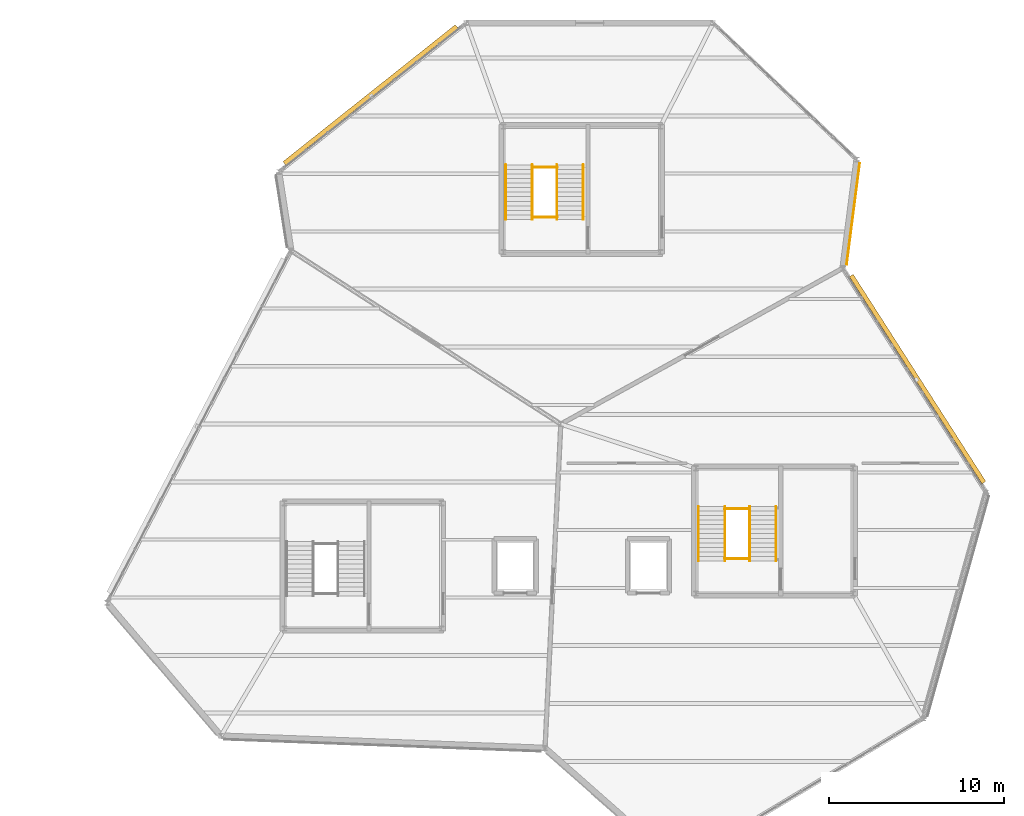
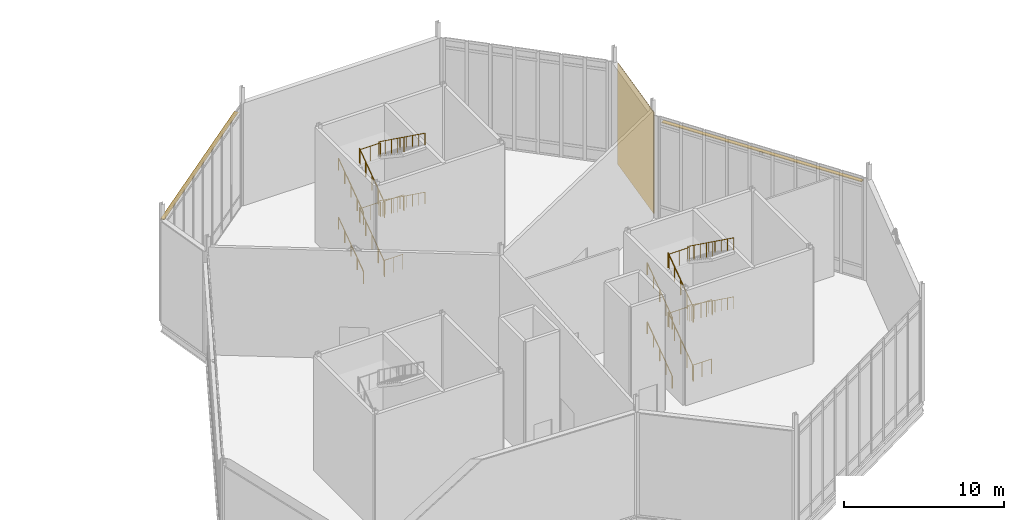
# One storey, part 66 of 66: 24 railings, 2 shading devices, 1 covering.
"""IFC4 building model written with IfcOpenShell, lengths in metres."""

from ifc_helpers import new_model, si_unit, direction, frame, frame_2d, origin, origin_2d, place, context, subcontext, project, spatial, rectangle, circle, extrude, material, layer, layer_set, type_object, element, save


model = new_model("IFC4")

# Units and contexts
model_context = context("Model", 3, precision=1e-05, world=origin(), true_north=direction((0.0, 1.0)))
body_context = subcontext(model_context, "Body", "Model", "MODEL_VIEW")
ifc_project = project(units=[si_unit("LENGTHUNIT", "METRE"), si_unit("AREAUNIT", "SQUARE_METRE"), si_unit("VOLUMEUNIT", "CUBIC_METRE"), si_unit("PLANEANGLEUNIT", "RADIAN"), si_unit("MASSUNIT", "GRAM", prefix="KILO")], contexts=[model_context])

# Site, building, storey
site_placement = place(None, origin())
site = spatial("IfcSite", under=ifc_project, at=site_placement, CompositionType="ELEMENT")
building_placement = place(site_placement, origin())
building = spatial("IfcBuilding", under=site, at=building_placement, Name="Tameran Prism Museum", CompositionType="ELEMENT")
storey_placement = place(building_placement, frame((0.0, 0.0, 19.800048828125)))
storey = spatial("IfcBuildingStorey", under=building, at=storey_placement, Name="L04", CompositionType="ELEMENT", Elevation=19.800048828125)

# Covering
ifc_material_1 = material(Name="White Fluted Mineral Precast GRC", Category="concrete")
ifc_layer_1 = layer(ifc_material_1, 0.044921875)
ifc_layer_set_1 = layer_set([ifc_layer_1])
covering_type = type_object("IfcCoveringType", Name="CV-FLUTE-WHT", PredefinedType="CLADDING", material=ifc_layer_set_1)
covering_placement = place(storey_placement, frame((135.864990234375, 103.9970703125, 0.050048828125), z_axis=(0.0, 0.0, 1.0), x_axis=(-0.127928833278, -0.991783350141, 0.0)))
element("IfcCovering", 1, at=covering_placement, inside=storey, type_object=covering_type, Name="Vertical Fluted White Precast Panel CL-0067", PredefinedType="CLADDING", context=body_context, shape_type="SweptSolid", body=[
    extrude(rectangle(XDim=5.83203125, YDim=0.044921875, at=frame_2d((2.916015625, 0.0))), origin(), (0.0, 0.0, 1.0), 7.719970703125),
])

# Railings
ifc_material_2 = material(Name="Marine Stainless Steel 316", Category="steel")
ifc_layer_2 = layer(ifc_material_2, 0.054931640625)
ifc_layer_set_2 = layer_set([ifc_layer_2])
railing_type_1 = type_object("IfcRailingType", Name="RL-GR-1120", PredefinedType="GUARDRAIL", material=ifc_layer_set_2)
railing_1_placement = place(storey_placement, frame((128.18994140625, 81.39990234375, 0.0)))
element("IfcRailing", 2, at=railing_1_placement, inside=storey, type_object=railing_type_1, Name="Stair Well Slot Guard GR-S048", PredefinedType="GUARDRAIL", context=body_context, shape_type="SweptSolid", body=[
    extrude(circle(Radius=0.02392578125, at=origin_2d()), frame((0.0, 0.0, 1.1259765625), z_axis=(1.0, 0.0, 0.0), x_axis=(0.0, 1.0, 0.0)), (0.0, 0.0, 1.0), 1.3701171875),
    extrude(circle(Radius=0.02099609375, at=origin_2d()), origin(), (0.0, 0.0, 1.0), 1.101806640625),
    extrude(circle(Radius=0.02099609375, at=origin_2d()), frame((0.68505859375, 0.0, 0.0)), (0.0, 0.0, 1.0), 1.101806640625),
    extrude(circle(Radius=0.02099609375, at=origin_2d()), frame((1.3701171875, 0.0, 0.0)), (0.0, 0.0, 1.0), 1.101806640625),
])
railing_2_placement = place(storey_placement, frame((128.169921875, 81.280029296875, 0.0)))
element("IfcRailing", 3, at=railing_2_placement, inside=storey, type_object=railing_type_1, Name="Stair Well Guardrail GR-S049", PredefinedType="GUARDRAIL", context=body_context, shape_type="SweptSolid", body=[
    extrude(circle(Radius=0.02392578125, at=origin_2d()), frame((0.0, 0.0, 1.1259765625), z_axis=(0.0, 0.811079039808, 0.584936570222), x_axis=(-1.0, 0.0, 0.0)), (0.0, 0.0, 1.0), 3.8466796875),
    extrude(circle(Radius=0.02099609375, at=origin_2d()), origin(), (0.0, 0.0, 1.0), 1.101806640625),
    extrude(circle(Radius=0.02099609375, at=origin_2d()), frame((0.0, 0.780029296875, 0.5625)), (0.0, 0.0, 1.0), 1.101806640625),
    extrude(circle(Radius=0.02099609375, at=origin_2d()), frame((0.0, 1.56005859375, 1.125)), (0.0, 0.0, 1.0), 1.101806640625),
    extrude(circle(Radius=0.02099609375, at=origin_2d()), frame((0.0, 2.33984375, 1.6875)), (0.0, 0.0, 1.0), 1.101806640625),
    extrude(circle(Radius=0.02099609375, at=origin_2d()), frame((0.0, 3.119873046875, 2.25)), (0.0, 0.0, 1.0), 1.101806640625),
])
railing_3_placement = place(storey_placement, frame((129.580078125, 84.39990234375, 2.25)))
element("IfcRailing", 4, at=railing_3_placement, inside=storey, type_object=railing_type_1, Name="Stair Well Guardrail GR-S050", PredefinedType="GUARDRAIL", context=body_context, shape_type="SweptSolid", body=[
    extrude(circle(Radius=0.02392578125, at=origin_2d()), frame((0.0, 0.0, 1.1259765625), z_axis=(0.0, -0.811079039808, 0.584936570222), x_axis=(1.0, 0.0, 0.0)), (0.0, 0.0, 1.0), 3.8466796875),
    extrude(circle(Radius=0.02099609375, at=origin_2d()), origin(), (0.0, 0.0, 1.0), 1.101806640625),
    extrude(circle(Radius=0.02099609375, at=origin_2d()), frame((0.0, -0.780029296875, 0.5625)), (0.0, 0.0, 1.0), 1.101806640625),
    extrude(circle(Radius=0.02099609375, at=origin_2d()), frame((0.0, -1.56005859375, 1.125)), (0.0, 0.0, 1.0), 1.101806640625),
    extrude(circle(Radius=0.02099609375, at=origin_2d()), frame((0.0, -2.33984375, 1.6875)), (0.0, 0.0, 1.0), 1.101806640625),
    extrude(circle(Radius=0.02099609375, at=origin_2d()), frame((0.0, -3.119873046875, 2.25)), (0.0, 0.0, 1.0), 1.101806640625),
])
railing_4_placement = place(storey_placement, frame((128.169921875, 81.280029296875, 4.5)))
element("IfcRailing", 5, at=railing_4_placement, inside=storey, type_object=railing_type_1, Name="Stair Well Guardrail GR-S051", PredefinedType="GUARDRAIL", context=body_context, shape_type="SweptSolid", body=[
    extrude(circle(Radius=0.02392578125, at=origin_2d()), frame((0.0, 0.0, 1.1259765625), z_axis=(0.0, 0.811079039808, 0.584936570222), x_axis=(-1.0, 0.0, 0.0)), (0.0, 0.0, 1.0), 3.8466796875),
    extrude(circle(Radius=0.02099609375, at=origin_2d()), origin(), (0.0, 0.0, 1.0), 1.101806640625),
    extrude(circle(Radius=0.02099609375, at=origin_2d()), frame((0.0, 0.780029296875, 0.5625)), (0.0, 0.0, 1.0), 1.101806640625),
    extrude(circle(Radius=0.02099609375, at=origin_2d()), frame((0.0, 1.56005859375, 1.125)), (0.0, 0.0, 1.0), 1.101806640625),
    extrude(circle(Radius=0.02099609375, at=origin_2d()), frame((0.0, 2.33984375, 1.6875)), (0.0, 0.0, 1.0), 1.101806640625),
    extrude(circle(Radius=0.02099609375, at=origin_2d()), frame((0.0, 3.119873046875, 2.25)), (0.0, 0.0, 1.0), 1.101806640625),
])
railing_5_placement = place(storey_placement, frame((129.580078125, 84.39990234375, 6.75)))
element("IfcRailing", 6, at=railing_5_placement, inside=storey, type_object=railing_type_1, Name="Stair Well Guardrail GR-S052", PredefinedType="GUARDRAIL", context=body_context, shape_type="SweptSolid", body=[
    extrude(circle(Radius=0.02392578125, at=origin_2d()), frame((0.0, 0.0, 1.1259765625), z_axis=(0.0, -0.811079039808, 0.584936570222), x_axis=(1.0, 0.0, 0.0)), (0.0, 0.0, 1.0), 3.8466796875),
    extrude(circle(Radius=0.02099609375, at=origin_2d()), origin(), (0.0, 0.0, 1.0), 1.101806640625),
    extrude(circle(Radius=0.02099609375, at=origin_2d()), frame((0.0, -0.780029296875, 0.5625)), (0.0, 0.0, 1.0), 1.101806640625),
    extrude(circle(Radius=0.02099609375, at=origin_2d()), frame((0.0, -1.56005859375, 1.125)), (0.0, 0.0, 1.0), 1.101806640625),
    extrude(circle(Radius=0.02099609375, at=origin_2d()), frame((0.0, -2.33984375, 1.6875)), (0.0, 0.0, 1.0), 1.101806640625),
    extrude(circle(Radius=0.02099609375, at=origin_2d()), frame((0.0, -3.119873046875, 2.25)), (0.0, 0.0, 1.0), 1.101806640625),
])
for number, where, name in (
    (7, (128.14990234375, 84.260009765625, 2.25), "Landing Well Guardrail GR-S053"),
    (8, (128.14990234375, 81.419921875, 4.5), "Landing Well Guardrail GR-S054"),
    (9, (128.14990234375, 84.260009765625, 6.75), "Landing Well Guardrail GR-S055"),
):
    element("IfcRailing", number, at=place(storey_placement, frame(where)), inside=storey, type_object=railing_type_1, Name=name, PredefinedType="GUARDRAIL", context=body_context, shape_type="SweptSolid", body=[
        extrude(circle(Radius=0.02392578125, at=origin_2d()), frame((0.0, 0.0, 1.1259765625), z_axis=(1.0, 0.0, 0.0), x_axis=(0.0, 1.0, 0.0)), (0.0, 0.0, 1.0), 1.4501953125),
        extrude(circle(Radius=0.02099609375, at=origin_2d()), origin(), (0.0, 0.0, 1.0), 1.101806640625),
        extrude(circle(Radius=0.02099609375, at=origin_2d()), frame((0.72509765625, 0.0, 0.0)), (0.0, 0.0, 1.0), 1.101806640625),
        extrude(circle(Radius=0.02099609375, at=origin_2d()), frame((1.4501953125, 0.0, 0.0)), (0.0, 0.0, 1.0), 1.101806640625),
    ])
railing_6_placement = place(storey_placement, frame((117.18994140625, 100.89990234375, 0.0)))
element("IfcRailing", 10, at=railing_6_placement, inside=storey, type_object=railing_type_1, Name="Stair Well Slot Guard GR-S076", PredefinedType="GUARDRAIL", context=body_context, shape_type="SweptSolid", body=[
    extrude(circle(Radius=0.02392578125, at=origin_2d()), frame((0.0, 0.0, 1.1259765625), z_axis=(1.0, 0.0, 0.0), x_axis=(0.0, 1.0, 0.0)), (0.0, 0.0, 1.0), 1.3701171875),
    extrude(circle(Radius=0.02099609375, at=origin_2d()), origin(), (0.0, 0.0, 1.0), 1.101806640625),
    extrude(circle(Radius=0.02099609375, at=origin_2d()), frame((0.68505859375, 0.0, 0.0)), (0.0, 0.0, 1.0), 1.101806640625),
    extrude(circle(Radius=0.02099609375, at=origin_2d()), frame((1.3701171875, 0.0, 0.0)), (0.0, 0.0, 1.0), 1.101806640625),
])
railing_7_placement = place(storey_placement, frame((117.169921875, 100.780029296875, 0.0)))
element("IfcRailing", 11, at=railing_7_placement, inside=storey, type_object=railing_type_1, Name="Stair Well Guardrail GR-S077", PredefinedType="GUARDRAIL", context=body_context, shape_type="SweptSolid", body=[
    extrude(circle(Radius=0.02392578125, at=origin_2d()), frame((0.0, 0.0, 1.1259765625), z_axis=(0.0, 0.811079039808, 0.584936570222), x_axis=(-1.0, 0.0, 0.0)), (0.0, 0.0, 1.0), 3.8466796875),
    extrude(circle(Radius=0.02099609375, at=origin_2d()), origin(), (0.0, 0.0, 1.0), 1.101806640625),
    extrude(circle(Radius=0.02099609375, at=origin_2d()), frame((0.0, 0.780029296875, 0.5625)), (0.0, 0.0, 1.0), 1.101806640625),
    extrude(circle(Radius=0.02099609375, at=origin_2d()), frame((0.0, 1.56005859375, 1.125)), (0.0, 0.0, 1.0), 1.101806640625),
    extrude(circle(Radius=0.02099609375, at=origin_2d()), frame((0.0, 2.33984375, 1.6875)), (0.0, 0.0, 1.0), 1.101806640625),
    extrude(circle(Radius=0.02099609375, at=origin_2d()), frame((0.0, 3.119873046875, 2.25)), (0.0, 0.0, 1.0), 1.101806640625),
])
railing_8_placement = place(storey_placement, frame((118.580078125, 103.89990234375, 2.25)))
element("IfcRailing", 12, at=railing_8_placement, inside=storey, type_object=railing_type_1, Name="Stair Well Guardrail GR-S078", PredefinedType="GUARDRAIL", context=body_context, shape_type="SweptSolid", body=[
    extrude(circle(Radius=0.02392578125, at=origin_2d()), frame((0.0, 0.0, 1.1259765625), z_axis=(0.0, -0.811079039808, 0.584936570222), x_axis=(1.0, 0.0, 0.0)), (0.0, 0.0, 1.0), 3.8466796875),
    extrude(circle(Radius=0.02099609375, at=origin_2d()), origin(), (0.0, 0.0, 1.0), 1.101806640625),
    extrude(circle(Radius=0.02099609375, at=origin_2d()), frame((0.0, -0.780029296875, 0.5625)), (0.0, 0.0, 1.0), 1.101806640625),
    extrude(circle(Radius=0.02099609375, at=origin_2d()), frame((0.0, -1.56005859375, 1.125)), (0.0, 0.0, 1.0), 1.101806640625),
    extrude(circle(Radius=0.02099609375, at=origin_2d()), frame((0.0, -2.33984375, 1.6875)), (0.0, 0.0, 1.0), 1.101806640625),
    extrude(circle(Radius=0.02099609375, at=origin_2d()), frame((0.0, -3.119873046875, 2.25)), (0.0, 0.0, 1.0), 1.101806640625),
])
railing_9_placement = place(storey_placement, frame((117.169921875, 100.780029296875, 4.5)))
element("IfcRailing", 13, at=railing_9_placement, inside=storey, type_object=railing_type_1, Name="Stair Well Guardrail GR-S079", PredefinedType="GUARDRAIL", context=body_context, shape_type="SweptSolid", body=[
    extrude(circle(Radius=0.02392578125, at=origin_2d()), frame((0.0, 0.0, 1.1259765625), z_axis=(0.0, 0.811079039808, 0.584936570222), x_axis=(-1.0, 0.0, 0.0)), (0.0, 0.0, 1.0), 3.8466796875),
    extrude(circle(Radius=0.02099609375, at=origin_2d()), origin(), (0.0, 0.0, 1.0), 1.101806640625),
    extrude(circle(Radius=0.02099609375, at=origin_2d()), frame((0.0, 0.780029296875, 0.5625)), (0.0, 0.0, 1.0), 1.101806640625),
    extrude(circle(Radius=0.02099609375, at=origin_2d()), frame((0.0, 1.56005859375, 1.125)), (0.0, 0.0, 1.0), 1.101806640625),
    extrude(circle(Radius=0.02099609375, at=origin_2d()), frame((0.0, 2.33984375, 1.6875)), (0.0, 0.0, 1.0), 1.101806640625),
    extrude(circle(Radius=0.02099609375, at=origin_2d()), frame((0.0, 3.119873046875, 2.25)), (0.0, 0.0, 1.0), 1.101806640625),
])
railing_10_placement = place(storey_placement, frame((118.580078125, 103.89990234375, 6.75)))
element("IfcRailing", 14, at=railing_10_placement, inside=storey, type_object=railing_type_1, Name="Stair Well Guardrail GR-S080", PredefinedType="GUARDRAIL", context=body_context, shape_type="SweptSolid", body=[
    extrude(circle(Radius=0.02392578125, at=origin_2d()), frame((0.0, 0.0, 1.1259765625), z_axis=(0.0, -0.811079039808, 0.584936570222), x_axis=(1.0, 0.0, 0.0)), (0.0, 0.0, 1.0), 3.8466796875),
    extrude(circle(Radius=0.02099609375, at=origin_2d()), origin(), (0.0, 0.0, 1.0), 1.101806640625),
    extrude(circle(Radius=0.02099609375, at=origin_2d()), frame((0.0, -0.780029296875, 0.5625)), (0.0, 0.0, 1.0), 1.101806640625),
    extrude(circle(Radius=0.02099609375, at=origin_2d()), frame((0.0, -1.56005859375, 1.125)), (0.0, 0.0, 1.0), 1.101806640625),
    extrude(circle(Radius=0.02099609375, at=origin_2d()), frame((0.0, -2.33984375, 1.6875)), (0.0, 0.0, 1.0), 1.101806640625),
    extrude(circle(Radius=0.02099609375, at=origin_2d()), frame((0.0, -3.119873046875, 2.25)), (0.0, 0.0, 1.0), 1.101806640625),
])
for number, where, name in (
    (15, (117.14990234375, 103.760009765625, 2.25), "Landing Well Guardrail GR-S081"),
    (16, (117.14990234375, 100.919921875, 4.5), "Landing Well Guardrail GR-S082"),
    (17, (117.14990234375, 103.760009765625, 6.75), "Landing Well Guardrail GR-S083"),
):
    element("IfcRailing", number, at=place(storey_placement, frame(where)), inside=storey, type_object=railing_type_1, Name=name, PredefinedType="GUARDRAIL", context=body_context, shape_type="SweptSolid", body=[
        extrude(circle(Radius=0.02392578125, at=origin_2d()), frame((0.0, 0.0, 1.1259765625), z_axis=(1.0, 0.0, 0.0), x_axis=(0.0, 1.0, 0.0)), (0.0, 0.0, 1.0), 1.4501953125),
        extrude(circle(Radius=0.02099609375, at=origin_2d()), origin(), (0.0, 0.0, 1.0), 1.101806640625),
        extrude(circle(Radius=0.02099609375, at=origin_2d()), frame((0.72509765625, 0.0, 0.0)), (0.0, 0.0, 1.0), 1.101806640625),
        extrude(circle(Radius=0.02099609375, at=origin_2d()), frame((1.4501953125, 0.0, 0.0)), (0.0, 0.0, 1.0), 1.101806640625),
    ])
ifc_material_3 = material(Name="Brushed Stainless Steel 316", Category="steel")
ifc_layer_3 = layer(ifc_material_3, 0.048095703125)
ifc_layer_set_3 = layer_set([ifc_layer_3])
railing_type_2 = type_object("IfcRailingType", Name="RL-HR-920", PredefinedType="HANDRAIL", material=ifc_layer_set_3)
railing_11_placement = place(storey_placement, frame((126.659912109375, 81.280029296875, 0.0)))
element("IfcRailing", 18, at=railing_11_placement, inside=storey, type_object=railing_type_2, Name="Stair Flight Handrail HR-025", PredefinedType="HANDRAIL", context=body_context, shape_type="SweptSolid", body=[
    extrude(circle(Radius=0.02392578125, at=origin_2d()), frame((0.0, 0.0, 0.89599609375), z_axis=(0.0, 0.811079039808, 0.584936570222), x_axis=(-1.0, 0.0, 0.0)), (0.0, 0.0, 1.0), 3.8466796875),
    extrude(circle(Radius=0.02099609375, at=origin_2d()), origin(), (0.0, 0.0, 1.0), 0.871826171875),
    extrude(circle(Radius=0.02099609375, at=origin_2d()), frame((0.0, 0.780029296875, 0.5625)), (0.0, 0.0, 1.0), 0.871826171875),
    extrude(circle(Radius=0.02099609375, at=origin_2d()), frame((0.0, 1.56005859375, 1.125)), (0.0, 0.0, 1.0), 0.871826171875),
    extrude(circle(Radius=0.02099609375, at=origin_2d()), frame((0.0, 2.33984375, 1.6875)), (0.0, 0.0, 1.0), 0.871826171875),
    extrude(circle(Radius=0.02099609375, at=origin_2d()), frame((0.0, 3.119873046875, 2.25)), (0.0, 0.0, 1.0), 0.871826171875),
])
railing_12_placement = place(storey_placement, frame((131.090087890625, 84.39990234375, 2.25)))
element("IfcRailing", 19, at=railing_12_placement, inside=storey, type_object=railing_type_2, Name="Stair Flight Handrail HR-026", PredefinedType="HANDRAIL", context=body_context, shape_type="SweptSolid", body=[
    extrude(circle(Radius=0.02392578125, at=origin_2d()), frame((0.0, 0.0, 0.89599609375), z_axis=(0.0, -0.811079039808, 0.584936570222), x_axis=(1.0, 0.0, 0.0)), (0.0, 0.0, 1.0), 3.8466796875),
    extrude(circle(Radius=0.02099609375, at=origin_2d()), origin(), (0.0, 0.0, 1.0), 0.871826171875),
    extrude(circle(Radius=0.02099609375, at=origin_2d()), frame((0.0, -0.780029296875, 0.5625)), (0.0, 0.0, 1.0), 0.871826171875),
    extrude(circle(Radius=0.02099609375, at=origin_2d()), frame((0.0, -1.56005859375, 1.125)), (0.0, 0.0, 1.0), 0.871826171875),
    extrude(circle(Radius=0.02099609375, at=origin_2d()), frame((0.0, -2.33984375, 1.6875)), (0.0, 0.0, 1.0), 0.871826171875),
    extrude(circle(Radius=0.02099609375, at=origin_2d()), frame((0.0, -3.119873046875, 2.25)), (0.0, 0.0, 1.0), 0.871826171875),
])
railing_13_placement = place(storey_placement, frame((126.659912109375, 81.280029296875, 4.5)))
element("IfcRailing", 20, at=railing_13_placement, inside=storey, type_object=railing_type_2, Name="Stair Flight Handrail HR-027", PredefinedType="HANDRAIL", context=body_context, shape_type="SweptSolid", body=[
    extrude(circle(Radius=0.02392578125, at=origin_2d()), frame((0.0, 0.0, 0.89599609375), z_axis=(0.0, 0.811079039808, 0.584936570222), x_axis=(-1.0, 0.0, 0.0)), (0.0, 0.0, 1.0), 3.8466796875),
    extrude(circle(Radius=0.02099609375, at=origin_2d()), origin(), (0.0, 0.0, 1.0), 0.871826171875),
    extrude(circle(Radius=0.02099609375, at=origin_2d()), frame((0.0, 0.780029296875, 0.5625)), (0.0, 0.0, 1.0), 0.871826171875),
    extrude(circle(Radius=0.02099609375, at=origin_2d()), frame((0.0, 1.56005859375, 1.125)), (0.0, 0.0, 1.0), 0.871826171875),
    extrude(circle(Radius=0.02099609375, at=origin_2d()), frame((0.0, 2.33984375, 1.6875)), (0.0, 0.0, 1.0), 0.871826171875),
    extrude(circle(Radius=0.02099609375, at=origin_2d()), frame((0.0, 3.119873046875, 2.25)), (0.0, 0.0, 1.0), 0.871826171875),
])
railing_14_placement = place(storey_placement, frame((131.090087890625, 84.39990234375, 6.75)))
element("IfcRailing", 21, at=railing_14_placement, inside=storey, type_object=railing_type_2, Name="Stair Flight Handrail HR-028", PredefinedType="HANDRAIL", context=body_context, shape_type="SweptSolid", body=[
    extrude(circle(Radius=0.02392578125, at=origin_2d()), frame((0.0, 0.0, 0.89599609375), z_axis=(0.0, -0.811079039808, 0.584936570222), x_axis=(1.0, 0.0, 0.0)), (0.0, 0.0, 1.0), 3.8466796875),
    extrude(circle(Radius=0.02099609375, at=origin_2d()), origin(), (0.0, 0.0, 1.0), 0.871826171875),
    extrude(circle(Radius=0.02099609375, at=origin_2d()), frame((0.0, -0.780029296875, 0.5625)), (0.0, 0.0, 1.0), 0.871826171875),
    extrude(circle(Radius=0.02099609375, at=origin_2d()), frame((0.0, -1.56005859375, 1.125)), (0.0, 0.0, 1.0), 0.871826171875),
    extrude(circle(Radius=0.02099609375, at=origin_2d()), frame((0.0, -2.33984375, 1.6875)), (0.0, 0.0, 1.0), 0.871826171875),
    extrude(circle(Radius=0.02099609375, at=origin_2d()), frame((0.0, -3.119873046875, 2.25)), (0.0, 0.0, 1.0), 0.871826171875),
])
railing_15_placement = place(storey_placement, frame((115.659912109375, 100.780029296875, 0.0)))
element("IfcRailing", 22, at=railing_15_placement, inside=storey, type_object=railing_type_2, Name="Stair Flight Handrail HR-039", PredefinedType="HANDRAIL", context=body_context, shape_type="SweptSolid", body=[
    extrude(circle(Radius=0.02392578125, at=origin_2d()), frame((0.0, 0.0, 0.89599609375), z_axis=(0.0, 0.811079039808, 0.584936570222), x_axis=(-1.0, 0.0, 0.0)), (0.0, 0.0, 1.0), 3.8466796875),
    extrude(circle(Radius=0.02099609375, at=origin_2d()), origin(), (0.0, 0.0, 1.0), 0.871826171875),
    extrude(circle(Radius=0.02099609375, at=origin_2d()), frame((0.0, 0.780029296875, 0.5625)), (0.0, 0.0, 1.0), 0.871826171875),
    extrude(circle(Radius=0.02099609375, at=origin_2d()), frame((0.0, 1.56005859375, 1.125)), (0.0, 0.0, 1.0), 0.871826171875),
    extrude(circle(Radius=0.02099609375, at=origin_2d()), frame((0.0, 2.33984375, 1.6875)), (0.0, 0.0, 1.0), 0.871826171875),
    extrude(circle(Radius=0.02099609375, at=origin_2d()), frame((0.0, 3.119873046875, 2.25)), (0.0, 0.0, 1.0), 0.871826171875),
])
railing_16_placement = place(storey_placement, frame((120.090087890625, 103.89990234375, 2.25)))
element("IfcRailing", 23, at=railing_16_placement, inside=storey, type_object=railing_type_2, Name="Stair Flight Handrail HR-040", PredefinedType="HANDRAIL", context=body_context, shape_type="SweptSolid", body=[
    extrude(circle(Radius=0.02392578125, at=origin_2d()), frame((0.0, 0.0, 0.89599609375), z_axis=(0.0, -0.811079039808, 0.584936570222), x_axis=(1.0, 0.0, 0.0)), (0.0, 0.0, 1.0), 3.8466796875),
    extrude(circle(Radius=0.02099609375, at=origin_2d()), origin(), (0.0, 0.0, 1.0), 0.871826171875),
    extrude(circle(Radius=0.02099609375, at=origin_2d()), frame((0.0, -0.780029296875, 0.5625)), (0.0, 0.0, 1.0), 0.871826171875),
    extrude(circle(Radius=0.02099609375, at=origin_2d()), frame((0.0, -1.56005859375, 1.125)), (0.0, 0.0, 1.0), 0.871826171875),
    extrude(circle(Radius=0.02099609375, at=origin_2d()), frame((0.0, -2.33984375, 1.6875)), (0.0, 0.0, 1.0), 0.871826171875),
    extrude(circle(Radius=0.02099609375, at=origin_2d()), frame((0.0, -3.119873046875, 2.25)), (0.0, 0.0, 1.0), 0.871826171875),
])
railing_17_placement = place(storey_placement, frame((115.659912109375, 100.780029296875, 4.5)))
element("IfcRailing", 24, at=railing_17_placement, inside=storey, type_object=railing_type_2, Name="Stair Flight Handrail HR-041", PredefinedType="HANDRAIL", context=body_context, shape_type="SweptSolid", body=[
    extrude(circle(Radius=0.02392578125, at=origin_2d()), frame((0.0, 0.0, 0.89599609375), z_axis=(0.0, 0.811079039808, 0.584936570222), x_axis=(-1.0, 0.0, 0.0)), (0.0, 0.0, 1.0), 3.8466796875),
    extrude(circle(Radius=0.02099609375, at=origin_2d()), origin(), (0.0, 0.0, 1.0), 0.871826171875),
    extrude(circle(Radius=0.02099609375, at=origin_2d()), frame((0.0, 0.780029296875, 0.5625)), (0.0, 0.0, 1.0), 0.871826171875),
    extrude(circle(Radius=0.02099609375, at=origin_2d()), frame((0.0, 1.56005859375, 1.125)), (0.0, 0.0, 1.0), 0.871826171875),
    extrude(circle(Radius=0.02099609375, at=origin_2d()), frame((0.0, 2.33984375, 1.6875)), (0.0, 0.0, 1.0), 0.871826171875),
    extrude(circle(Radius=0.02099609375, at=origin_2d()), frame((0.0, 3.119873046875, 2.25)), (0.0, 0.0, 1.0), 0.871826171875),
])
railing_18_placement = place(storey_placement, frame((120.090087890625, 103.89990234375, 6.75)))
element("IfcRailing", 25, at=railing_18_placement, inside=storey, type_object=railing_type_2, Name="Stair Flight Handrail HR-042", PredefinedType="HANDRAIL", context=body_context, shape_type="SweptSolid", body=[
    extrude(circle(Radius=0.02392578125, at=origin_2d()), frame((0.0, 0.0, 0.89599609375), z_axis=(0.0, -0.811079039808, 0.584936570222), x_axis=(1.0, 0.0, 0.0)), (0.0, 0.0, 1.0), 3.8466796875),
    extrude(circle(Radius=0.02099609375, at=origin_2d()), origin(), (0.0, 0.0, 1.0), 0.871826171875),
    extrude(circle(Radius=0.02099609375, at=origin_2d()), frame((0.0, -0.780029296875, 0.5625)), (0.0, 0.0, 1.0), 0.871826171875),
    extrude(circle(Radius=0.02099609375, at=origin_2d()), frame((0.0, -1.56005859375, 1.125)), (0.0, 0.0, 1.0), 0.871826171875),
    extrude(circle(Radius=0.02099609375, at=origin_2d()), frame((0.0, -2.33984375, 1.6875)), (0.0, 0.0, 1.0), 0.871826171875),
    extrude(circle(Radius=0.02099609375, at=origin_2d()), frame((0.0, -3.119873046875, 2.25)), (0.0, 0.0, 1.0), 0.871826171875),
])

# Shading devices
ifc_material_4 = material(Name="Anodised Aluminium Alloy 6063-T6", Category="aluminium")
ifc_layer_4 = layer(ifc_material_4, 0.044921875)
ifc_layer_set_4 = layer_set([ifc_layer_4])
shading_device_type_1 = type_object("IfcShadingDeviceType", Name="SH-JAL-240", PredefinedType="JALOUSIE", material=ifc_layer_set_4)
shading_device_1_placement = place(storey_placement, frame((107.93798828125, 107.89111328125, 7.33984375), z_axis=(0.0, 0.0, 1.0), x_axis=(0.783042563302, 0.621968121415, 0.0)))
element("IfcShadingDevice", 26, at=shading_device_1_placement, inside=storey, type_object=shading_device_type_1, Name="Monsoon Storm Louvre SLV-068", PredefinedType="JALOUSIE", context=body_context, shape_type="SweptSolid", body=[
    extrude(rectangle(XDim=12.56494140625, YDim=0.260009765625, at=origin_2d()), origin(), (0.0, 0.0, 1.0), 0.06005859375),
])
ifc_material_5 = material(Name="Anodised Aluminium Alloy 6063-T6", Category="aluminium")
ifc_layer_5 = layer(ifc_material_5, 0.050048828125)
ifc_layer_set_5 = layer_set([ifc_layer_5])
shading_device_type_2 = type_object("IfcShadingDeviceType", Name="SH-LOUV-300", PredefinedType="SHUTTER", material=ifc_layer_set_5)
shading_device_2_placement = place(storey_placement, frame((139.16796875, 91.672119140625, 7.33984375), z_axis=(0.0, 0.0, 1.0), x_axis=(0.539358796389, -0.842076058773, 0.0)))
element("IfcShadingDevice", 27, at=shading_device_2_placement, inside=storey, type_object=shading_device_type_2, Name="Monsoon Storm Louvre SLV-067", PredefinedType="SHUTTER", context=body_context, shape_type="SweptSolid", body=[
    extrude(rectangle(XDim=14.0419921875, YDim=0.260009765625, at=origin_2d()), origin(), (0.0, 0.0, 1.0), 0.06005859375),
])

save(model, "model.ifc")
